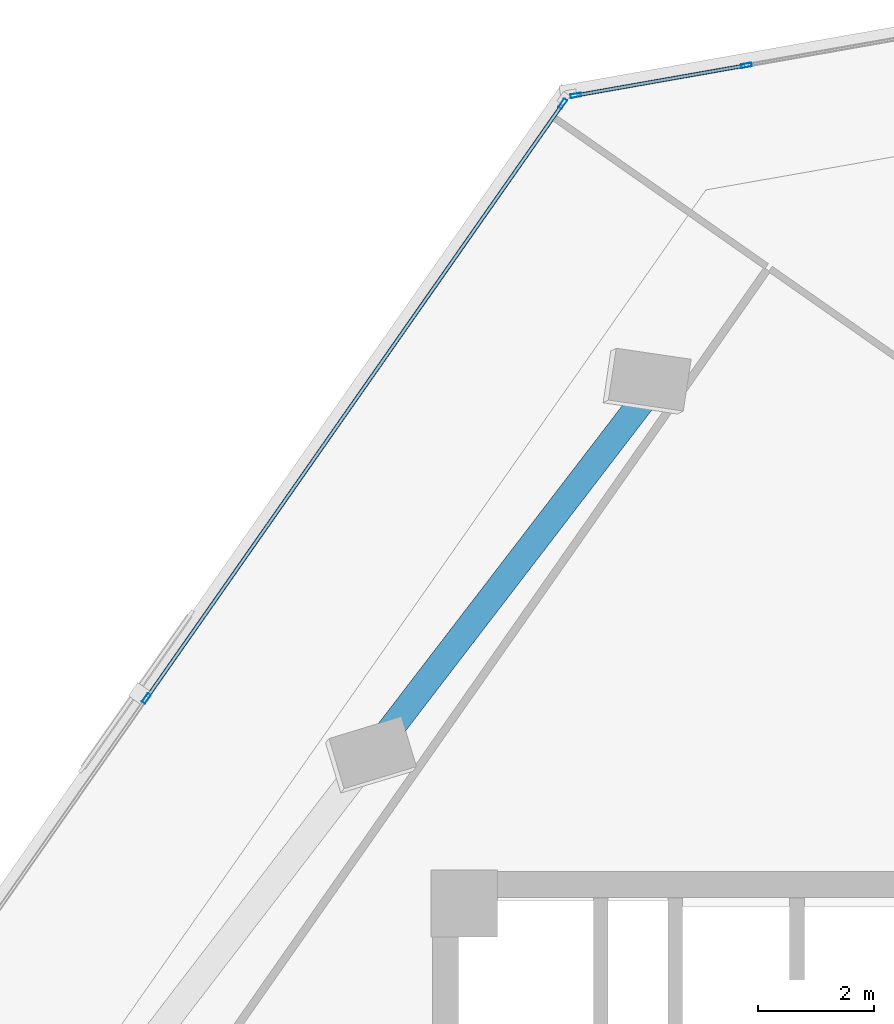
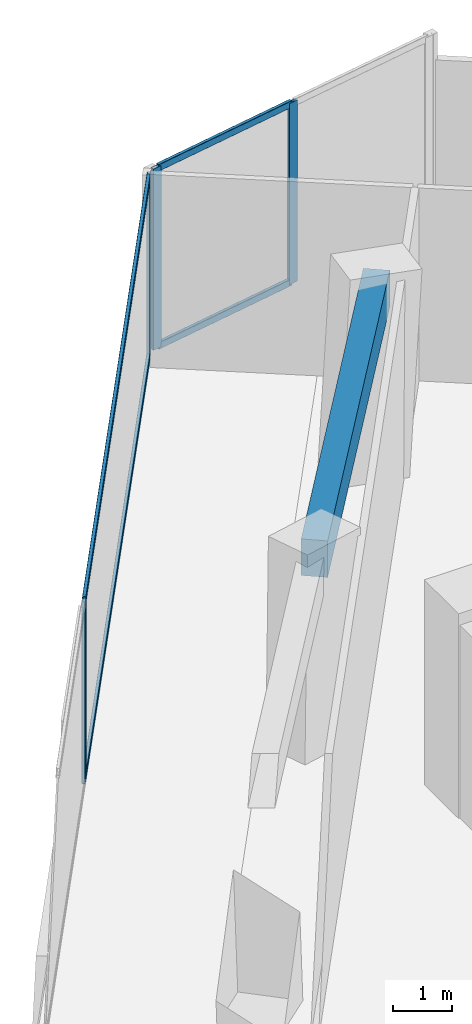
# One storey, part 12 of 21: 8 members, 1 beam, 2 elements without a shape of their own.
"""IFC4 building model written with IfcOpenShell, lengths in metres."""

from ifc_helpers import new_model, si_unit, direction, frame, origin, origin_2d, place, context, subcontext, project, spatial, rectangle, hollow_rectangle, extrude, source, transform, mapped, material, material_profile, profile_set, type_object, element, aggregate, save


model = new_model("IFC4")

# Units and contexts
model_context = context("Model", 3, precision=1e-05, world=origin(), true_north=direction((0.0, 1.0)))
body_context = subcontext(model_context, "Body", "Model", "MODEL_VIEW")
ifc_project = project(units=[si_unit("LENGTHUNIT", "METRE"), si_unit("AREAUNIT", "SQUARE_METRE"), si_unit("VOLUMEUNIT", "CUBIC_METRE"), si_unit("PLANEANGLEUNIT", "RADIAN"), si_unit("MASSUNIT", "GRAM", prefix="KILO")], contexts=[model_context])

# Site, building, storey
site_placement = place(None, origin())
site = spatial("IfcSite", under=ifc_project, at=site_placement, CompositionType="ELEMENT")
building_placement = place(site_placement, origin())
building = spatial("IfcBuilding", under=site, at=building_placement, Name="Torre Montelarca", CompositionType="ELEMENT")
storey_placement = place(building_placement, frame((0.0, 0.0, 200.199951171875)))
storey = spatial("IfcBuildingStorey", under=building, at=storey_placement, Name="L45", CompositionType="ELEMENT", Elevation=200.199951171875)

# Beam
ifc_material_1 = material(Name="Concrete C55/67", Category="concrete")
ifc_material_profile_1 = material_profile(ifc_material_1, rectangle(XDim=0.449951171875, YDim=0.75, at=origin_2d()), Name="RCB450X750", Category="concrete")
ifc_profile_set_1 = profile_set([ifc_material_profile_1], Name="Concrete C55/67")
beam_type = type_object("IfcBeamType", Name="BM-SP-RC750-EXT", PredefinedType="SPANDREL", material=ifc_profile_set_1)
shared_shape_1 = source(origin(), body_context, "Body", "SweptSolid", [
    extrude(rectangle(XDim=0.449951171875, YDim=0.75, at=origin_2d()), origin(), (0.0, 0.0, 1.0), 8.0),
])
beam_placement = place(storey_placement, frame((8.132080078125, 42.257568359375, 3.5849609375), z_axis=(0.608757593073, 0.793356283694, 0.0), x_axis=(-0.793356283694, 0.608757593073, 0.0)))
element("IfcBeam", 1, at=beam_placement, inside=storey, type_object=beam_type, Name="L45 Grid Girder Y 32.0-40.0 at X=4.7", PredefinedType="SPANDREL", context=body_context, shape_type="MappedRepresentation", body=[
    mapped(shared_shape_1, transform((0.0, 0.0, 0.0), scale=1.0)),
])

# Curtain wall, members
ifc_material_2 = material(Name="Insulated low-E laminated glass", Category="glass")
curtain_wall_type = type_object("IfcCurtainWallType", Name="CW-SYS-Z2", PredefinedType="USERDEFINED", material=ifc_material_2)
curtain_wall_1_placement = place(storey_placement, origin())
curtain_wall_1 = element("IfcCurtainWall", 2, at=curtain_wall_1_placement, inside=storey, type_object=curtain_wall_type, Name="L45 Curtain Wall Run CW-T3-L45-E09-B1", ObjectType="UNITISED GLAZING", PredefinedType="USERDEFINED")
ifc_material_3 = material(Name="Anodised aluminium AA 6063-T6", Category="aluminium")
ifc_material_profile_2 = material_profile(ifc_material_3, hollow_rectangle(XDim=0.06494140625, YDim=0.139892578125, WallThickness=0.00390625, InnerFilletRadius=0.00390625, OuterFilletRadius=0.008056640625, at=origin_2d()), Name="ALU65X140X4", Category="aluminium")
ifc_profile_set_2 = profile_set([ifc_material_profile_2], Name="Anodised aluminium AA 6063-T6")
member_type_1 = type_object("IfcMemberType", Name="CWT-ALU140", PredefinedType="USERDEFINED", material=ifc_profile_set_2)
shared_shape_2 = source(origin(), body_context, "Body", "SweptSolid", [
    extrude(hollow_rectangle(XDim=0.06494140625, YDim=0.139892578125, WallThickness=0.00390625, InnerFilletRadius=0.00390625, OuterFilletRadius=0.008056640625, at=origin_2d()), origin(), (0.0, 0.0, 1.0), 2.918701171875),
])
member_1_placement = place(storey_placement, frame((14.378662109375, 53.8759765625, 0.032470703125), z_axis=(-0.984806287351, -0.173656489641, 0.0), x_axis=(0.173656489641, -0.984806287351, 0.0)))
member_1 = element("IfcMember", 3, at=member_1_placement, type_object=member_type_1, Name="CW transom 2.1", ObjectType="TRANSOM", PredefinedType="USERDEFINED", context=body_context, shape_type="MappedRepresentation", body=[
    mapped(shared_shape_2, transform((0.0, 0.0, 0.0), scale=1.0)),
])
member_2_placement = place(storey_placement, frame((14.378662109375, 53.8759765625, 3.6875), z_axis=(-0.984806287351, -0.173656489641, 0.0), x_axis=(0.173656489641, -0.984806287351, 0.0)))
member_2 = element("IfcMember", 4, at=member_2_placement, type_object=member_type_1, Name="CW transom 2.2", ObjectType="TRANSOM", PredefinedType="USERDEFINED", context=body_context, shape_type="MappedRepresentation", body=[
    mapped(shared_shape_2, transform((0.0, 0.0, 0.0), scale=1.0)),
])

curtain_wall_2_placement = place(storey_placement, origin())
curtain_wall_2 = element("IfcCurtainWall", 5, at=curtain_wall_2_placement, inside=storey, type_object=curtain_wall_type, Name="L45 Curtain Wall Run CW-T3-L45-E10-B1", ObjectType="UNITISED GLAZING", PredefinedType="USERDEFINED")
shared_shape_3 = source(origin(), body_context, "Body", "SweptSolid", [
    extrude(hollow_rectangle(XDim=0.06494140625, YDim=0.139892578125, WallThickness=0.00390625, InnerFilletRadius=0.00390625, OuterFilletRadius=0.008056640625, at=origin_2d()), origin(), (0.0, 0.0, 1.0), 12.4365234375),
])
member_3_placement = place(storey_placement, frame((11.228515625, 53.193359375, 0.032470703125), z_axis=(-0.573573009469, -0.819154443807, 0.0), x_axis=(0.819154443807, -0.573573009469, 0.0)))
member_3 = element("IfcMember", 6, at=member_3_placement, type_object=member_type_1, Name="CW transom 1.1", ObjectType="TRANSOM", PredefinedType="USERDEFINED", context=body_context, shape_type="MappedRepresentation", body=[
    mapped(shared_shape_3, transform((0.0, 0.0, 0.0), scale=1.0)),
])
member_4_placement = place(storey_placement, frame((11.228515625, 53.193359375, 3.6875), z_axis=(-0.573573009469, -0.819154443807, 0.0), x_axis=(0.819154443807, -0.573573009469, 0.0)))
member_4 = element("IfcMember", 7, at=member_4_placement, type_object=member_type_1, Name="CW transom 1.2", ObjectType="TRANSOM", PredefinedType="USERDEFINED", context=body_context, shape_type="MappedRepresentation", body=[
    mapped(shared_shape_3, transform((0.0, 0.0, 0.0), scale=1.0)),
])

# Member
ifc_material_profile_3 = material_profile(ifc_material_3, hollow_rectangle(XDim=0.06494140625, YDim=0.179931640625, WallThickness=0.00390625, InnerFilletRadius=0.00390625, OuterFilletRadius=0.008056640625, at=origin_2d()), Name="ALU65X180X4", Category="aluminium")
ifc_profile_set_3 = profile_set([ifc_material_profile_3], Name="Anodised aluminium AA 6063-T6")
member_type_2 = type_object("IfcMemberType", Name="CWM-ALU180", PredefinedType="MULLION", material=ifc_profile_set_3)
shared_shape_4 = source(origin(), body_context, "Body", "SweptSolid", [
    extrude(hollow_rectangle(XDim=0.06494140625, YDim=0.179931640625, WallThickness=0.00390625, InnerFilletRadius=0.00390625, OuterFilletRadius=0.008056640625, at=origin_2d()), origin(), (0.0, 0.0, 1.0), 3.719970703125),
])
member_5_placement = place(storey_placement, frame((14.41064453125, 53.881591796875, 0.0), z_axis=(0.0, 0.0, 1.0), x_axis=(0.173634019333, -0.984810249404, 0.0)))
member_5 = element("IfcMember", 8, at=member_5_placement, type_object=member_type_2, Name="CW mullion 2", PredefinedType="MULLION", context=body_context, shape_type="MappedRepresentation", body=[
    mapped(shared_shape_4, transform((0.0, 0.0, 0.0), scale=1.0)),
])

member_6_placement = place(storey_placement, frame((11.472412109375, 53.363525390625, 0.0), z_axis=(0.0, 0.0, 1.0), x_axis=(0.173634019333, -0.984810249404, 0.0)))
member_6 = element("IfcMember", 9, at=member_6_placement, type_object=member_type_2, Name="CW mullion 3", PredefinedType="MULLION", context=body_context, shape_type="MappedRepresentation", body=[
    mapped(shared_shape_4, transform((0.0, 0.0, 0.0), scale=1.0)),
])

aggregate(curtain_wall_1, [member_5, member_6, member_1, member_2])

member_7_placement = place(storey_placement, frame((11.2470703125, 53.219970703125, 0.0), z_axis=(0.0, 0.0, 1.0), x_axis=(0.81915751291, -0.573568626271, 0.0)))
member_7 = element("IfcMember", 10, at=member_7_placement, type_object=member_type_2, Name="CW mullion 1", PredefinedType="MULLION", context=body_context, shape_type="MappedRepresentation", body=[
    mapped(shared_shape_4, transform((0.0, 0.0, 0.0), scale=1.0)),
])

member_8_placement = place(storey_placement, frame((4.076416015625, 42.979248046875, 0.0), z_axis=(0.0, 0.0, 1.0), x_axis=(0.81915751291, -0.573568626271, 0.0)))
member_8 = element("IfcMember", 11, at=member_8_placement, type_object=member_type_2, Name="CW mullion 2", PredefinedType="MULLION", context=body_context, shape_type="MappedRepresentation", body=[
    mapped(shared_shape_4, transform((0.0, 0.0, 0.0), scale=1.0)),
])

aggregate(curtain_wall_2, [member_7, member_8, member_3, member_4])

save(model, "model.ifc")
